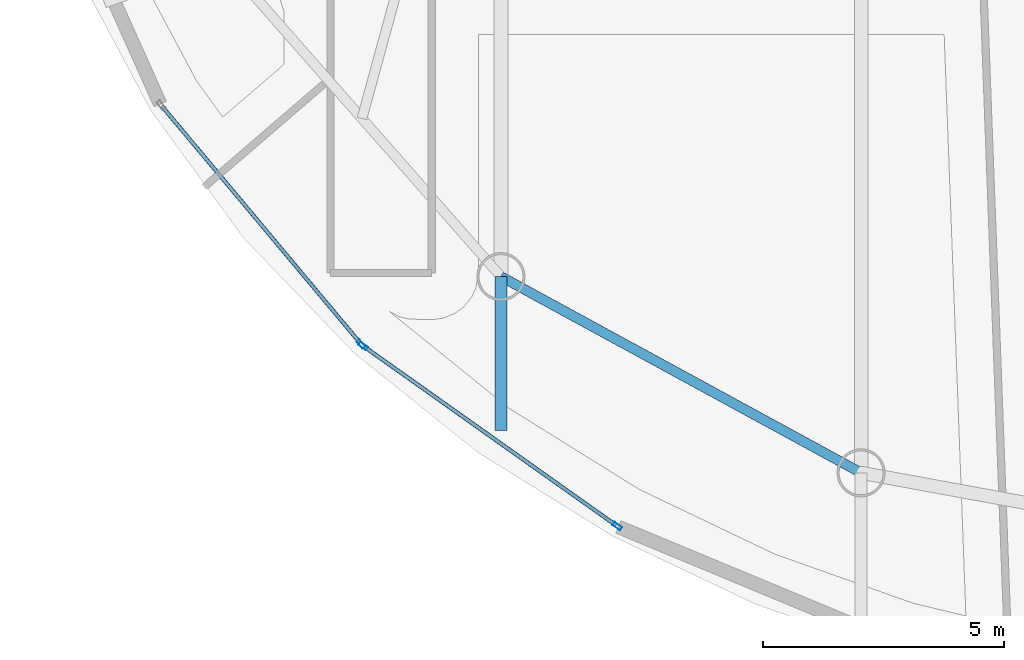
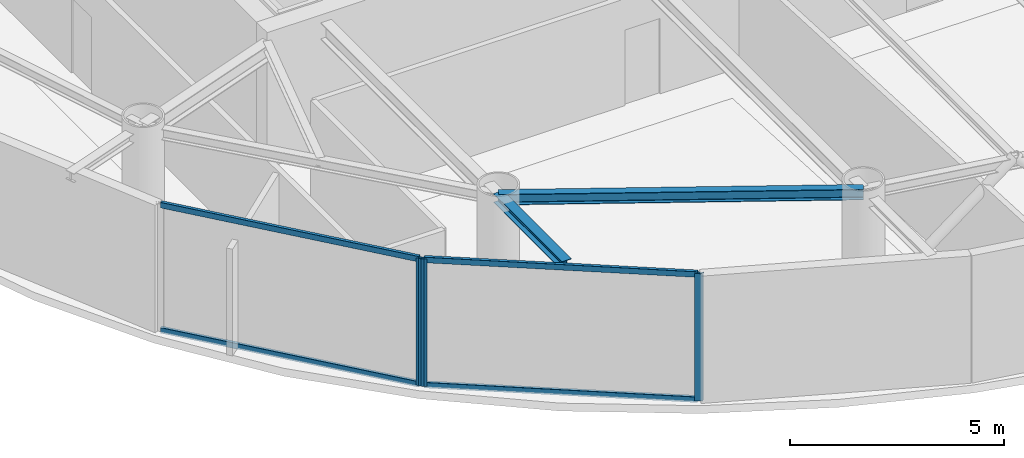
# One storey, part 2 of 17: 7 members, 2 beams, 2 elements without a shape of their own.
"""IFC4 building model written with IfcOpenShell, lengths in metres."""

from ifc_helpers import new_model, si_unit, direction, frame, origin, origin_2d, place, context, subcontext, project, spatial, hollow_rectangle, i_section, extrude, material, layer, layer_set, material_profile, profile_set, type_object, element, aggregate, save


model = new_model("IFC4")

# Units and contexts
model_context = context("Model", 3, precision=1e-05, world=origin(), true_north=direction((0.0, 1.0)))
body_context = subcontext(model_context, "Body", "Model", "MODEL_VIEW")
ifc_project = project(units=[si_unit("LENGTHUNIT", "METRE"), si_unit("AREAUNIT", "SQUARE_METRE"), si_unit("VOLUMEUNIT", "CUBIC_METRE"), si_unit("PLANEANGLEUNIT", "RADIAN"), si_unit("MASSUNIT", "GRAM", prefix="KILO")], contexts=[model_context])

# Site, building, storey
site_placement = place(None, origin())
site = spatial("IfcSite", under=ifc_project, at=site_placement, CompositionType="ELEMENT")
building_placement = place(site_placement, origin())
building = spatial("IfcBuilding", under=site, at=building_placement, Name="Bramvorn Convention Spire", CompositionType="ELEMENT")
storey_placement = place(building_placement, frame((0.0, 0.0, 265.14990234375)))
storey = spatial("IfcBuildingStorey", under=building, at=storey_placement, Name="L67", CompositionType="ELEMENT", Elevation=265.14990234375)

# Beams
ifc_material_1 = material(Name="Steel CSA G40.21 Grade 350 (350W)", Category="steel")
ifc_material_profile_1 = material_profile(ifc_material_1, i_section(OverallWidth=0.25390625, OverallDepth=0.2529296875, WebThickness=0.008544921875, FlangeThickness=0.01416015625, FilletRadius=0.011962890625, at=origin_2d()))
ifc_profile_set_1 = profile_set([ifc_material_profile_1], Name="Steel CSA G40.21 Grade 350 (350W) - W250X73")
beam_type_1 = type_object("IfcBeamType", Name="BM-W250X73", PredefinedType="BEAM", material=ifc_profile_set_1)
beam_1_placement = place(storey_placement, frame((28.337646484375, 10.523193359375, 3.49853515625), z_axis=(0.0, -1.0, 0.0), x_axis=(1.0, 0.0, 0.0)))
element("IfcBeam", 1, at=beam_1_placement, inside=storey, type_object=beam_type_1, Name="L67 slab-edge cantilever tip beam MC14", PredefinedType="BEAM", context=body_context, shape_type="SweptSolid", body=[
    extrude(i_section(OverallWidth=0.25390625, OverallDepth=0.2529296875, WebThickness=0.008544921875, FlangeThickness=0.01416015625, FilletRadius=0.011962890625, at=origin_2d()), origin(), (0.0, 0.0, 1.0), 3.197998046875),
])
ifc_material_profile_2 = material_profile(ifc_material_1, i_section(OverallWidth=0.202880859375, OverallDepth=0.302978515625, WebThickness=0.007568359375, FlangeThickness=0.01318359375, FilletRadius=0.013916015625, at=origin_2d()))
ifc_profile_set_2 = profile_set([ifc_material_profile_2], Name="Steel CSA G40.21 Grade 350 (350W) - W310X60")
beam_type_2 = type_object("IfcBeamType", Name="BM-W310X60", PredefinedType="JOIST", material=ifc_profile_set_2)
beam_2_placement = place(storey_placement, frame((28.337646484375, 10.523193359375, 3.4736328125), z_axis=(0.878133224771, -0.478416178189, 0.0), x_axis=(0.478416178189, 0.878133224771, 0.0)))
element("IfcBeam", 2, at=beam_2_placement, inside=storey, type_object=beam_type_2, Name="L67 mega-column ring beam 14", PredefinedType="JOIST", context=body_context, shape_type="SweptSolid", body=[
    extrude(i_section(OverallWidth=0.202880859375, OverallDepth=0.302978515625, WebThickness=0.007568359375, FlangeThickness=0.01318359375, FilletRadius=0.013916015625, at=origin_2d()), origin(), (0.0, 0.0, 1.0), 8.515625),
])

# Curtain wall, member
ifc_material_2 = material(Name="Anodised Bronze Unitised Curtain Wall", Category="aluminium")
ifc_layer = layer(ifc_material_2, 0.179931640625)
ifc_layer_set = layer_set([ifc_layer], Name="Anodised Bronze Unitised Curtain Wall - CW-OFF-FRIT")
curtain_wall_type = type_object("IfcCurtainWallType", Name="CW-OFF-FRIT", PredefinedType="USERDEFINED", material=ifc_layer_set)
curtain_wall_1_placement = place(storey_placement, origin())
curtain_wall_1 = element("IfcCurtainWall", 3, at=curtain_wall_1_placement, inside=storey, type_object=curtain_wall_type, Name="L67 fritted glass curtain wall 19", ObjectType="UNITISED CURTAIN WALL", PredefinedType="USERDEFINED")
ifc_material_3 = material(Name="Anodised Bronze Aluminium 6063-T6", Category="aluminium")
ifc_material_profile_3 = material_profile(ifc_material_3, hollow_rectangle(XDim=0.080078125, YDim=0.199951171875, WallThickness=0.00390625, InnerFilletRadius=0.0009765625, OuterFilletRadius=0.00390625, at=origin_2d()))
ifc_profile_set_3 = profile_set([ifc_material_profile_3], Name="Anodised Bronze Aluminium 6063-T6 - CWM80X200")
member_type_1 = type_object("IfcMemberType", Name="CW-MUL-180", PredefinedType="MULLION", material=ifc_profile_set_3)
member_1_placement = place(storey_placement, frame((25.432861328125, 9.123291015625, 0.0), z_axis=(0.0, 0.0, 1.0), x_axis=(-0.76680660091, -0.641878210255, 0.0)))
member_1 = element("IfcMember", 4, at=member_1_placement, type_object=member_type_1, Name="CW3 mullion 1", PredefinedType="MULLION", context=body_context, shape_type="SweptSolid", body=[
    extrude(hollow_rectangle(XDim=0.080078125, YDim=0.199951171875, WallThickness=0.00390625, InnerFilletRadius=0.0009765625, OuterFilletRadius=0.00390625, at=origin_2d()), origin(), (0.0, 0.0, 1.0), 3.625),
])

# Curtain wall, members
curtain_wall_2_placement = place(storey_placement, origin())
curtain_wall_2 = element("IfcCurtainWall", 5, at=curtain_wall_2_placement, inside=storey, type_object=curtain_wall_type, Name="L67 fritted glass curtain wall 20", ObjectType="UNITISED CURTAIN WALL", PredefinedType="USERDEFINED")
member_2_placement = place(storey_placement, frame((30.7509765625, 5.342529296875, 0.0), z_axis=(0.0, 0.0, 1.0), x_axis=(-0.578472156694, -0.815702129414, 0.0)))
member_2 = element("IfcMember", 6, at=member_2_placement, type_object=member_type_1, Name="CW3 mullion 1", PredefinedType="MULLION", context=body_context, shape_type="SweptSolid", body=[
    extrude(hollow_rectangle(XDim=0.080078125, YDim=0.199951171875, WallThickness=0.00390625, InnerFilletRadius=0.0009765625, OuterFilletRadius=0.00390625, at=origin_2d()), origin(), (0.0, 0.0, 1.0), 3.625),
])
member_3_placement = place(storey_placement, frame((25.4765625, 9.0830078125, 0.0), z_axis=(0.0, 0.0, 1.0), x_axis=(-0.578472156694, -0.815702129414, 0.0)))
member_3 = element("IfcMember", 7, at=member_3_placement, type_object=member_type_1, Name="CW3 mullion 2", PredefinedType="MULLION", context=body_context, shape_type="SweptSolid", body=[
    extrude(hollow_rectangle(XDim=0.080078125, YDim=0.199951171875, WallThickness=0.00390625, InnerFilletRadius=0.0009765625, OuterFilletRadius=0.00390625, at=origin_2d()), origin(), (0.0, 0.0, 1.0), 3.625),
])

# Member
ifc_material_profile_4 = material_profile(ifc_material_3, hollow_rectangle(XDim=0.080078125, YDim=0.159912109375, WallThickness=0.00390625, InnerFilletRadius=0.0009765625, OuterFilletRadius=0.00390625, at=origin_2d()))
ifc_profile_set_4 = profile_set([ifc_material_profile_4], Name="Anodised Bronze Aluminium 6063-T6 - CWT80X160")
member_type_2 = type_object("IfcMemberType", Name="CW-TRN-150", PredefinedType="USERDEFINED", material=ifc_profile_set_4)
member_4_placement = place(storey_placement, frame((25.41357421875, 9.146240234375, 0.030029296875), z_axis=(-0.641888202349, 0.766798236621, 0.0), x_axis=(-0.766798236621, -0.641888202349, 0.0)))
member_4 = element("IfcMember", 8, at=member_4_placement, type_object=member_type_2, Name="CW3 transom 1.1", ObjectType="TRANSOM", PredefinedType="USERDEFINED", context=body_context, shape_type="SweptSolid", body=[
    extrude(hollow_rectangle(XDim=0.080078125, YDim=0.159912109375, WallThickness=0.00390625, InnerFilletRadius=0.0009765625, OuterFilletRadius=0.00390625, at=origin_2d()), origin(), (0.0, 0.0, 1.0), 6.406982421875),
])

member_5_placement = place(storey_placement, frame((25.41357421875, 9.146240234375, 3.59521484375), z_axis=(-0.641888202349, 0.766798236621, 0.0), x_axis=(-0.766798236621, -0.641888202349, 0.0)))
member_5 = element("IfcMember", 9, at=member_5_placement, type_object=member_type_2, Name="CW3 transom 1.2", ObjectType="TRANSOM", PredefinedType="USERDEFINED", context=body_context, shape_type="SweptSolid", body=[
    extrude(hollow_rectangle(XDim=0.080078125, YDim=0.159912109375, WallThickness=0.00390625, InnerFilletRadius=0.0009765625, OuterFilletRadius=0.00390625, at=origin_2d()), origin(), (0.0, 0.0, 1.0), 6.406982421875),
])

aggregate(curtain_wall_1, [member_1, member_4, member_5])

member_6_placement = place(storey_placement, frame((30.7265625, 5.35986328125, 0.030029296875), z_axis=(-0.815703792071, 0.578469812178, 0.0), x_axis=(-0.578469812178, -0.815703792071, 0.0)))
member_6 = element("IfcMember", 10, at=member_6_placement, type_object=member_type_2, Name="CW3 transom 1.1", ObjectType="TRANSOM", PredefinedType="USERDEFINED", context=body_context, shape_type="SweptSolid", body=[
    extrude(hollow_rectangle(XDim=0.080078125, YDim=0.159912109375, WallThickness=0.00390625, InnerFilletRadius=0.0009765625, OuterFilletRadius=0.00390625, at=origin_2d()), origin(), (0.0, 0.0, 1.0), 6.40625),
])

member_7_placement = place(storey_placement, frame((30.7265625, 5.35986328125, 3.59521484375), z_axis=(-0.815703792071, 0.578469812178, 0.0), x_axis=(-0.578469812178, -0.815703792071, 0.0)))
member_7 = element("IfcMember", 11, at=member_7_placement, type_object=member_type_2, Name="CW3 transom 1.2", ObjectType="TRANSOM", PredefinedType="USERDEFINED", context=body_context, shape_type="SweptSolid", body=[
    extrude(hollow_rectangle(XDim=0.080078125, YDim=0.159912109375, WallThickness=0.00390625, InnerFilletRadius=0.0009765625, OuterFilletRadius=0.00390625, at=origin_2d()), origin(), (0.0, 0.0, 1.0), 6.40625),
])

aggregate(curtain_wall_2, [member_2, member_3, member_6, member_7])

save(model, "model.ifc")
